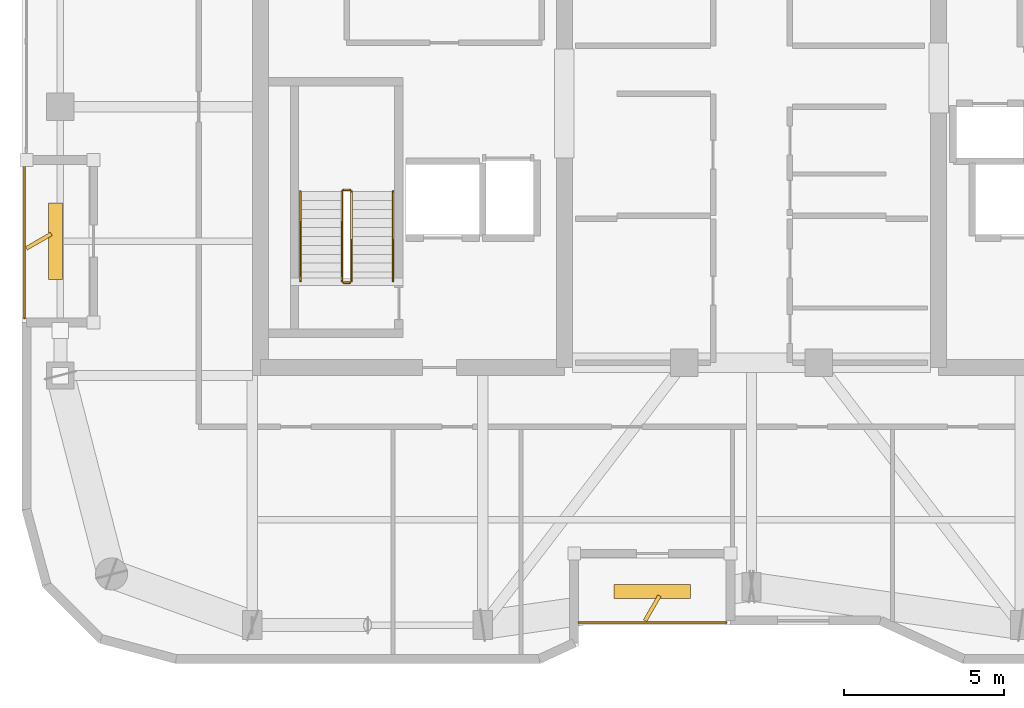
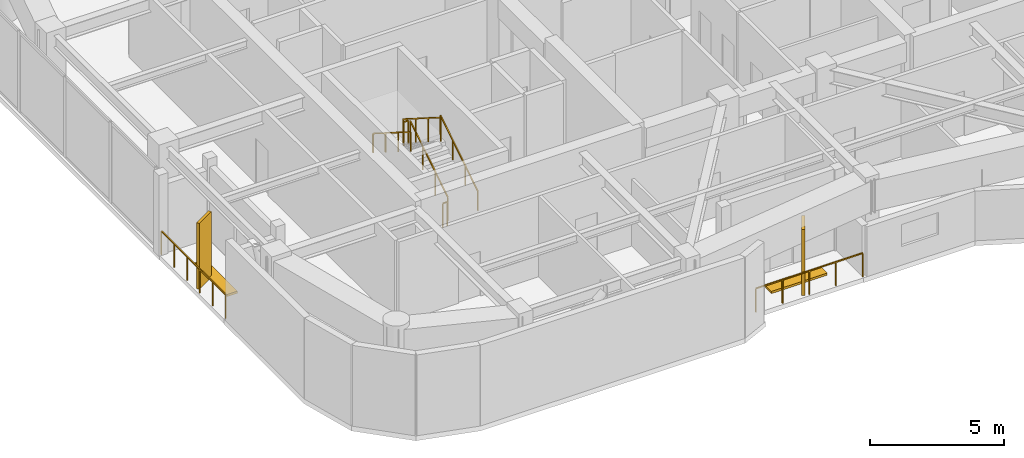
# One storey, part 14 of 15: 8 railings, 4 shading devices.
"""IFC4 building model written with IfcOpenShell, lengths in metres."""

from ifc_helpers import new_model, si_unit, direction, frame, origin, origin_2d, place, context, subcontext, project, spatial, rectangle, extrude, material, type_object, element, save


model = new_model("IFC4")

# Units and contexts
model_context = context("Model", 3, precision=1e-05, world=origin(), true_north=direction((0.0, 1.0)))
body_context = subcontext(model_context, "Body", "Model", "MODEL_VIEW")
ifc_project = project(units=[si_unit("LENGTHUNIT", "METRE"), si_unit("AREAUNIT", "SQUARE_METRE"), si_unit("VOLUMEUNIT", "CUBIC_METRE"), si_unit("PLANEANGLEUNIT", "RADIAN"), si_unit("MASSUNIT", "GRAM", prefix="KILO")], contexts=[model_context])

# Site, building, storey
site_placement = place(None, origin())
site = spatial("IfcSite", under=ifc_project, at=site_placement, CompositionType="ELEMENT")
building_placement = place(site_placement, origin())
building = spatial("IfcBuilding", under=site, at=building_placement, Name="Kiyonajd Concourse Tower", CompositionType="ELEMENT")
storey_placement = place(building_placement, frame((0.0, 0.0, 314.10009765625)))
storey = spatial("IfcBuildingStorey", under=building, at=storey_placement, Name="L79", CompositionType="ELEMENT", Elevation=314.10009765625)

# Railings
ifc_material_1 = material(Name="Thermally Broken Anodised Aluminium", Category="aluminium")
railing_type_1 = type_object("IfcRailingType", Name="RL-GRD-LOG", PredefinedType="GUARDRAIL", material=ifc_material_1)
railing_1_placement = place(storey_placement, frame((42.60009765625, 19.8798828125, 0.0)))
element("IfcRailing", 1, at=railing_1_placement, inside=storey, type_object=railing_type_1, Name="L79 Engawa Loggia Perimeter Guard LOG-S", PredefinedType="GUARDRAIL", context=body_context, shape_type="SweptSolid", body=[
    extrude(rectangle(XDim=0.048095703125, YDim=0.048095703125, at=origin_2d()), frame((0.0, 0.0, 1.076171875), z_axis=(1.0, 0.0, 0.0), x_axis=(0.0, 1.0, 0.0)), (0.0, 0.0, 1.0), 4.599853515625),
    extrude(rectangle(XDim=0.0419921875, YDim=0.0419921875, at=origin_2d()), origin(), (0.0, 0.0, 1.0), 1.052001953125),
    extrude(rectangle(XDim=0.0419921875, YDim=0.0419921875, at=origin_2d()), frame((1.14990234375, 0.0, 0.0)), (0.0, 0.0, 1.0), 1.052001953125),
    extrude(rectangle(XDim=0.0419921875, YDim=0.0419921875, at=origin_2d()), frame((2.2998046875, 0.0, 0.0)), (0.0, 0.0, 1.0), 1.052001953125),
    extrude(rectangle(XDim=0.0419921875, YDim=0.0419921875, at=origin_2d()), frame((3.449951171875, 0.0, 0.0)), (0.0, 0.0, 1.0), 1.052001953125),
    extrude(rectangle(XDim=0.0419921875, YDim=0.0419921875, at=origin_2d()), frame((4.599853515625, 0.0, 0.0)), (0.0, 0.0, 1.0), 1.052001953125),
])
railing_2_placement = place(storey_placement, frame((25.280029296875, 34.199951171875, 0.0)))
element("IfcRailing", 2, at=railing_2_placement, inside=storey, type_object=railing_type_1, Name="L79 Engawa Loggia Perimeter Guard LOG-W", PredefinedType="GUARDRAIL", context=body_context, shape_type="SweptSolid", body=[
    extrude(rectangle(XDim=0.048095703125, YDim=0.048095703125, at=origin_2d()), frame((0.0, 0.0, 1.076171875), z_axis=(0.0, -1.0, 0.0), x_axis=(1.0, 0.0, 0.0)), (0.0, 0.0, 1.0), 4.800048828125),
    extrude(rectangle(XDim=0.0419921875, YDim=0.0419921875, at=origin_2d()), origin(), (0.0, 0.0, 1.0), 1.052001953125),
    extrude(rectangle(XDim=0.0419921875, YDim=0.0419921875, at=origin_2d()), frame((0.0, -0.9599609375, 0.0)), (0.0, 0.0, 1.0), 1.052001953125),
    extrude(rectangle(XDim=0.0419921875, YDim=0.0419921875, at=origin_2d()), frame((0.0, -1.919921875, 0.0)), (0.0, 0.0, 1.0), 1.052001953125),
    extrude(rectangle(XDim=0.0419921875, YDim=0.0419921875, at=origin_2d()), frame((0.0, -2.880126953125, 0.0)), (0.0, 0.0, 1.0), 1.052001953125),
    extrude(rectangle(XDim=0.0419921875, YDim=0.0419921875, at=origin_2d()), frame((0.0, -3.840087890625, 0.0)), (0.0, 0.0, 1.0), 1.052001953125),
    extrude(rectangle(XDim=0.0419921875, YDim=0.0419921875, at=origin_2d()), frame((0.0, -4.800048828125, 0.0)), (0.0, 0.0, 1.0), 1.052001953125),
])
ifc_material_2 = material(Name="Steel ASTM A500 Grade C", Category="steel")
railing_type_2 = type_object("IfcRailingType", Name="RL-GRD-STR", PredefinedType="GUARDRAIL", material=ifc_material_2)
railing_3_placement = place(storey_placement, frame((35.5, 30.550048828125, 0.17724609375)))
element("IfcRailing", 3, at=railing_3_placement, inside=storey, type_object=railing_type_2, Name="L79 ST1 stair guard 1", PredefinedType="GUARDRAIL", context=body_context, shape_type="SweptSolid", body=[
    extrude(rectangle(XDim=0.048095703125, YDim=0.048095703125, at=origin_2d()), frame((0.0, 0.0, 1.076171875), z_axis=(0.0, 0.844908973607, 0.534910110503), x_axis=(-1.0, 0.0, 0.0)), (0.0, 0.0, 1.0), 3.31396484375),
    extrude(rectangle(XDim=0.0419921875, YDim=0.0419921875, at=origin_2d()), origin(), (0.0, 0.0, 1.0), 1.052001953125),
    extrude(rectangle(XDim=0.0419921875, YDim=0.0419921875, at=origin_2d()), frame((0.0, 0.933349609375, 0.5908203125)), (0.0, 0.0, 1.0), 1.052001953125),
    extrude(rectangle(XDim=0.0419921875, YDim=0.0419921875, at=origin_2d()), frame((0.0, 1.86669921875, 1.181884765625)), (0.0, 0.0, 1.0), 1.052001953125),
    extrude(rectangle(XDim=0.0419921875, YDim=0.0419921875, at=origin_2d()), frame((0.0, 2.800048828125, 1.772705078125)), (0.0, 0.0, 1.0), 1.052001953125),
])
railing_4_placement = place(storey_placement, frame((35.449951171875, 33.39990234375, 1.949951171875)))
element("IfcRailing", 4, at=railing_4_placement, inside=storey, type_object=railing_type_2, Name="L79 ST1 stair guard 2", PredefinedType="GUARDRAIL", context=body_context, shape_type="SweptSolid", body=[
    extrude(rectangle(XDim=0.048095703125, YDim=0.048095703125, at=origin_2d()), frame((0.0, 0.0, 1.076171875), z_axis=(-1.0, 0.0, 0.0), x_axis=(0.0, -1.0, 0.0)), (0.0, 0.0, 1.0), 0.199951171875),
    extrude(rectangle(XDim=0.0419921875, YDim=0.0419921875, at=origin_2d()), origin(), (0.0, 0.0, 1.0), 1.052001953125),
    extrude(rectangle(XDim=0.0419921875, YDim=0.0419921875, at=origin_2d()), frame((-0.199951171875, 0.0, 0.0)), (0.0, 0.0, 1.0), 1.052001953125),
])
railing_5_placement = place(storey_placement, frame((35.199951171875, 33.35009765625, 2.127197265625)))
element("IfcRailing", 5, at=railing_5_placement, inside=storey, type_object=railing_type_2, Name="L79 ST1 stair guard 3", PredefinedType="GUARDRAIL", context=body_context, shape_type="SweptSolid", body=[
    extrude(rectangle(XDim=0.048095703125, YDim=0.048095703125, at=origin_2d()), frame((0.0, 0.0, 1.076171875), z_axis=(0.0, -0.844908973607, 0.534910110503), x_axis=(1.0, 0.0, 0.0)), (0.0, 0.0, 1.0), 3.31396484375),
    extrude(rectangle(XDim=0.0419921875, YDim=0.0419921875, at=origin_2d()), origin(), (0.0, 0.0, 1.0), 1.052001953125),
    extrude(rectangle(XDim=0.0419921875, YDim=0.0419921875, at=origin_2d()), frame((0.0, -0.933349609375, 0.5908203125)), (0.0, 0.0, 1.0), 1.052001953125),
    extrude(rectangle(XDim=0.0419921875, YDim=0.0419921875, at=origin_2d()), frame((0.0, -1.86669921875, 1.181884765625)), (0.0, 0.0, 1.0), 1.052001953125),
    extrude(rectangle(XDim=0.0419921875, YDim=0.0419921875, at=origin_2d()), frame((0.0, -2.800048828125, 1.772705078125)), (0.0, 0.0, 1.0), 1.052001953125),
])
railing_6_placement = place(storey_placement, frame((35.449951171875, 30.5, 0.0)))
element("IfcRailing", 6, at=railing_6_placement, inside=storey, type_object=railing_type_2, Name="L79 ST1 stair guard 4", PredefinedType="GUARDRAIL", context=body_context, shape_type="SweptSolid", body=[
    extrude(rectangle(XDim=0.048095703125, YDim=0.048095703125, at=origin_2d()), frame((0.0, 0.0, 1.076171875), z_axis=(-1.0, 0.0, 0.0), x_axis=(0.0, -1.0, 0.0)), (0.0, 0.0, 1.0), 0.199951171875),
    extrude(rectangle(XDim=0.0419921875, YDim=0.0419921875, at=origin_2d()), origin(), (0.0, 0.0, 1.0), 1.052001953125),
    extrude(rectangle(XDim=0.0419921875, YDim=0.0419921875, at=origin_2d()), frame((-0.199951171875, 0.0, 0.0)), (0.0, 0.0, 1.0), 1.052001953125),
])
ifc_material_3 = material(Name="Brushed Stainless Steel Cab Assembly", Category="steel")
railing_type_3 = type_object("IfcRailingType", Name="RL-HND-900", PredefinedType="HANDRAIL", material=ifc_material_3)
railing_7_placement = place(storey_placement, frame((36.800048828125, 30.550048828125, 0.17724609375)))
element("IfcRailing", 7, at=railing_7_placement, inside=storey, type_object=railing_type_3, Name="L79 ST1 stair handrail 1", PredefinedType="HANDRAIL", context=body_context, shape_type="SweptSolid", body=[
    extrude(rectangle(XDim=0.048095703125, YDim=0.048095703125, at=origin_2d()), frame((0.0, 0.0, 0.8759765625), z_axis=(0.0, 0.844908973607, 0.534910110503), x_axis=(-1.0, 0.0, 0.0)), (0.0, 0.0, 1.0), 3.31396484375),
    extrude(rectangle(XDim=0.0419921875, YDim=0.0419921875, at=origin_2d()), origin(), (0.0, 0.0, 1.0), 0.851806640625),
    extrude(rectangle(XDim=0.0419921875, YDim=0.0419921875, at=origin_2d()), frame((0.0, 0.933349609375, 0.5908203125)), (0.0, 0.0, 1.0), 0.851806640625),
    extrude(rectangle(XDim=0.0419921875, YDim=0.0419921875, at=origin_2d()), frame((0.0, 1.86669921875, 1.181884765625)), (0.0, 0.0, 1.0), 0.851806640625),
    extrude(rectangle(XDim=0.0419921875, YDim=0.0419921875, at=origin_2d()), frame((0.0, 2.800048828125, 1.772705078125)), (0.0, 0.0, 1.0), 0.851806640625),
])
railing_8_placement = place(storey_placement, frame((33.89990234375, 33.35009765625, 2.127197265625)))
element("IfcRailing", 8, at=railing_8_placement, inside=storey, type_object=railing_type_3, Name="L79 ST1 stair handrail 2", PredefinedType="HANDRAIL", context=body_context, shape_type="SweptSolid", body=[
    extrude(rectangle(XDim=0.048095703125, YDim=0.048095703125, at=origin_2d()), frame((0.0, 0.0, 0.8759765625), z_axis=(0.0, -0.844908973607, 0.534910110503), x_axis=(1.0, 0.0, 0.0)), (0.0, 0.0, 1.0), 3.31396484375),
    extrude(rectangle(XDim=0.0419921875, YDim=0.0419921875, at=origin_2d()), origin(), (0.0, 0.0, 1.0), 0.851806640625),
    extrude(rectangle(XDim=0.0419921875, YDim=0.0419921875, at=origin_2d()), frame((0.0, -0.933349609375, 0.5908203125)), (0.0, 0.0, 1.0), 0.851806640625),
    extrude(rectangle(XDim=0.0419921875, YDim=0.0419921875, at=origin_2d()), frame((0.0, -1.86669921875, 1.181884765625)), (0.0, 0.0, 1.0), 0.851806640625),
    extrude(rectangle(XDim=0.0419921875, YDim=0.0419921875, at=origin_2d()), frame((0.0, -2.800048828125, 1.772705078125)), (0.0, 0.0, 1.0), 0.851806640625),
])

# Shading devices
ifc_material_4 = material(Name="Precast concrete C50/60", Category="concrete")
shading_device_type_1 = type_object("IfcShadingDeviceType", Name="SH-FIN-900", PredefinedType="USERDEFINED", material=ifc_material_4)
for number, where, z_axis, x_axis, name in (
    (9, (44.89990234375, 20.330078125, 0.0), (0.0, 0.0, 1.0), (0.5, 0.866025403784, 0.0), "L79 Angled Koshi Solar Fin LOG-S"),
    (10, (25.72998046875, 31.800048828125, 0.0), (0.0, 0.0, 1.0), (0.866025403784, 0.5, 0.0), "L79 Angled Koshi Solar Fin LOG-W"),
):
    element("IfcShadingDevice", number, at=place(storey_placement, frame(where, z_axis=z_axis, x_axis=x_axis)), inside=storey, type_object=shading_device_type_1, Name=name, ObjectType="FIN", PredefinedType="USERDEFINED", context=body_context, shape_type="SweptSolid", body=[
        extrude(rectangle(XDim=0.89990234375, YDim=0.1201171875, at=origin_2d()), origin(), (0.0, 0.0, 1.0), 3.0),
    ])
shading_device_type_2 = type_object("IfcShadingDeviceType", Name="SH-LVR-600", PredefinedType="JALOUSIE", material=ifc_material_1)
for number, where, z_axis, x_axis, name in (
    (11, (44.89990234375, 20.85009765625, -0.000244140625), (0.0, 0.0, 1.0), (1.0, 0.0, 0.0), "L79 Loggia Threshold Louver LOG-S"),
    (12, (26.25, 31.800048828125, -0.000244140625), (0.0, 0.0, 1.0), (0.0, 1.0, 0.0), "L79 Loggia Threshold Louver LOG-W"),
):
    element("IfcShadingDevice", number, at=place(storey_placement, frame(where, z_axis=z_axis, x_axis=x_axis)), inside=storey, type_object=shading_device_type_2, Name=name, PredefinedType="JALOUSIE", context=body_context, shape_type="SweptSolid", body=[
        extrude(rectangle(XDim=2.39990234375, YDim=0.449951171875, at=origin_2d()), origin(), (0.0, 0.0, 1.0), 0.10009765625),
    ])

save(model, "model.ifc")
